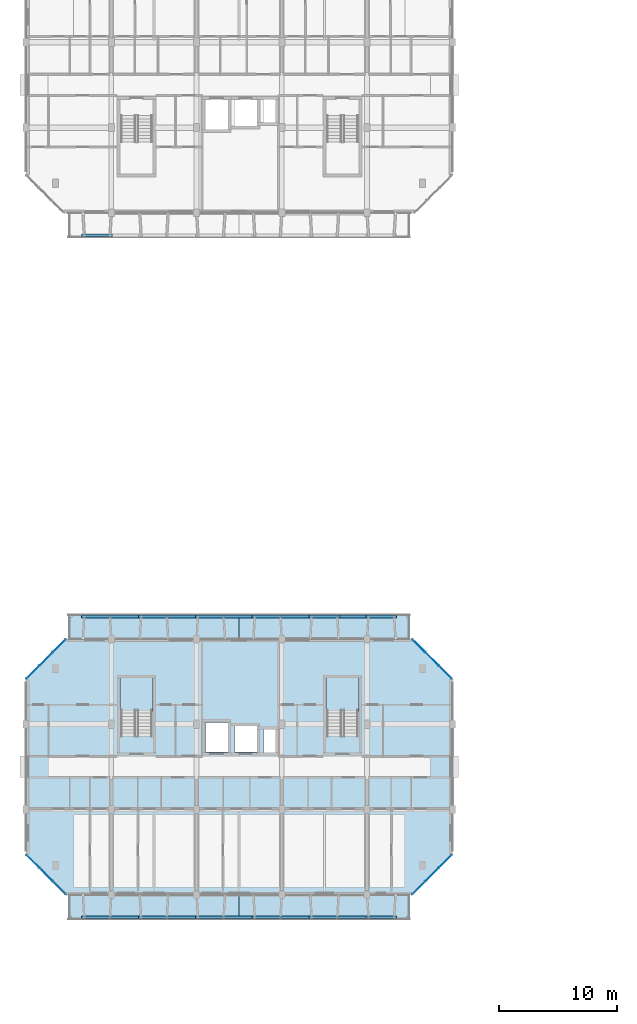
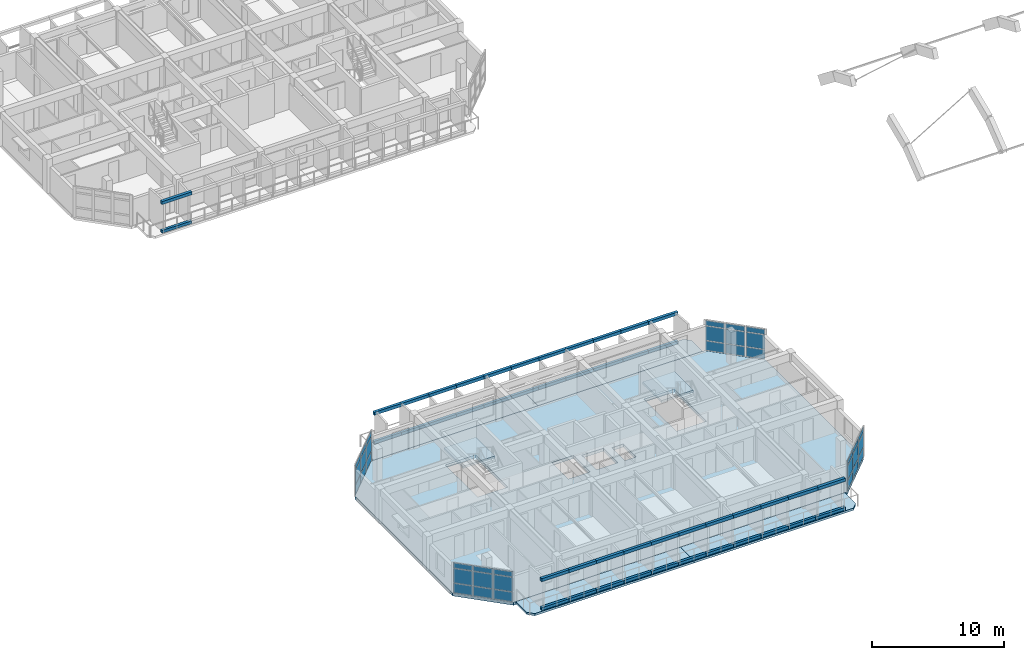
# One storey, part 18 of 64: 82 plates, 7 slabs, 6 elements without a shape of their own.
"""IFC4 building model written with IfcOpenShell, lengths in metres."""

from ifc_helpers import new_model, si_unit, direction, frame, origin, origin_2d, place, context, subcontext, project, spatial, polyline, rectangle, outline, extrude, material, layer, layer_set, type_object, element, aggregate, save


model = new_model("IFC4")

# Units and contexts
model_context = context("Model", 3, precision=1e-05, world=origin(), true_north=direction((0.0, 1.0)))
body_context = subcontext(model_context, "Body", "Model", "MODEL_VIEW")
ifc_project = project(units=[si_unit("LENGTHUNIT", "METRE"), si_unit("AREAUNIT", "SQUARE_METRE"), si_unit("VOLUMEUNIT", "CUBIC_METRE"), si_unit("PLANEANGLEUNIT", "RADIAN"), si_unit("MASSUNIT", "GRAM", prefix="KILO")], contexts=[model_context])

# Site, building, storey
site_placement = place(None, origin())
site = spatial("IfcSite", under=ifc_project, at=site_placement, CompositionType="ELEMENT")
building_placement = place(site_placement, origin())
building = spatial("IfcBuilding", under=site, at=building_placement, Name="Ochrevale Crest", CompositionType="ELEMENT")
storey_placement = place(building_placement, frame((0.0, 0.0, 8.699951171875)))
storey = spatial("IfcBuildingStorey", under=building, at=storey_placement, Name="L02", CompositionType="ELEMENT", Elevation=8.699951171875)

# Curtain wall, plates
ifc_material_1 = material(Name="Anodised aluminium 6063-T5", Category="aluminium")
ifc_layer_1 = layer(ifc_material_1, 0.14990234375)
ifc_layer_set_1 = layer_set([ifc_layer_1], Name="Anodised aluminium 6063-T5")
curtain_wall_type_1 = type_object("IfcCurtainWallType", Name="CW-WG-420x285", PredefinedType="NOTDEFINED", material=ifc_layer_set_1)
curtain_wall_1_placement = place(storey_placement, origin())
curtain_wall_1 = element("IfcCurtainWall", 1, at=curtain_wall_1_placement, inside=storey, type_object=curtain_wall_type_1, Name="Block A L02 chamfered corner wintergarden curtain wall 2", PredefinedType="NOTDEFINED")
ifc_material_2 = material(Name="Double-glazed low-E insulated glass unit", Category="glass")
ifc_layer_2 = layer(ifc_material_2, 0.028076171875)
ifc_layer_set_2 = layer_set([ifc_layer_2], Name="Double-glazed low-E insulated glass unit")
plate_type_1 = type_object("IfcPlateType", Name="CW-PNL-IGU28", PredefinedType="CURTAIN_PANEL", material=ifc_layer_set_2)
plate_1_placement = place(storey_placement, frame((33.179931640625, 14.97998046875, 0.06005859375), z_axis=(0.0, 0.0, 1.0), x_axis=(0.707106781187, 0.707106781187, 0.0)))
plate_1 = element("IfcPlate", 2, at=plate_1_placement, type_object=plate_type_1, Name="CW22 panel 1.1", PredefinedType="CURTAIN_PANEL", context=body_context, shape_type="SweptSolid", body=[
    extrude(rectangle(XDim=1.490234375, YDim=0.028076171875, at=origin_2d()), origin(), (0.0, 0.0, 1.0), 0.860107421875),
])
plate_2_placement = place(storey_placement, frame((33.179931640625, 14.97998046875, 0.97998046875), z_axis=(0.0, 0.0, 1.0), x_axis=(0.707106781187, 0.707106781187, 0.0)))
plate_2 = element("IfcPlate", 3, at=plate_2_placement, type_object=plate_type_1, Name="CW22 panel 1.2", PredefinedType="CURTAIN_PANEL", context=body_context, shape_type="SweptSolid", body=[
    extrude(rectangle(XDim=1.490234375, YDim=0.028076171875, at=origin_2d()), origin(), (0.0, 0.0, 1.0), 1.31494140625),
])
plate_3_placement = place(storey_placement, frame((33.179931640625, 14.97998046875, 2.35498046875), z_axis=(0.0, 0.0, 1.0), x_axis=(0.707106781187, 0.707106781187, 0.0)))
plate_3 = element("IfcPlate", 4, at=plate_3_placement, type_object=plate_type_1, Name="CW22 panel 1.3", PredefinedType="CURTAIN_PANEL", context=body_context, shape_type="SweptSolid", body=[
    extrude(rectangle(XDim=1.490234375, YDim=0.028076171875, at=origin_2d()), origin(), (0.0, 0.0, 1.0), 0.4599609375),
])
plate_4_placement = place(storey_placement, frame((34.300048828125, 16.10009765625, 0.06005859375), z_axis=(0.0, 0.0, 1.0), x_axis=(0.707106781187, 0.707106781187, 0.0)))
plate_4 = element("IfcPlate", 5, at=plate_4_placement, type_object=plate_type_1, Name="CW22 panel 2.1", PredefinedType="CURTAIN_PANEL", context=body_context, shape_type="SweptSolid", body=[
    extrude(rectangle(XDim=1.52783203125, YDim=0.028076171875, at=origin_2d()), origin(), (0.0, 0.0, 1.0), 0.860107421875),
])
plate_5_placement = place(storey_placement, frame((34.300048828125, 16.10009765625, 0.97998046875), z_axis=(0.0, 0.0, 1.0), x_axis=(0.707106781187, 0.707106781187, 0.0)))
plate_5 = element("IfcPlate", 6, at=plate_5_placement, type_object=plate_type_1, Name="CW22 panel 2.2", PredefinedType="CURTAIN_PANEL", context=body_context, shape_type="SweptSolid", body=[
    extrude(rectangle(XDim=1.52783203125, YDim=0.028076171875, at=origin_2d()), origin(), (0.0, 0.0, 1.0), 1.31494140625),
])
plate_6_placement = place(storey_placement, frame((34.300048828125, 16.10009765625, 2.35498046875), z_axis=(0.0, 0.0, 1.0), x_axis=(0.707106781187, 0.707106781187, 0.0)))
plate_6 = element("IfcPlate", 7, at=plate_6_placement, type_object=plate_type_1, Name="CW22 panel 2.3", PredefinedType="CURTAIN_PANEL", context=body_context, shape_type="SweptSolid", body=[
    extrude(rectangle(XDim=1.52783203125, YDim=0.028076171875, at=origin_2d()), origin(), (0.0, 0.0, 1.0), 0.4599609375),
])
plate_7_placement = place(storey_placement, frame((35.420166015625, 17.219970703125, 0.06005859375), z_axis=(0.0, 0.0, 1.0), x_axis=(0.707106781187, 0.707106781187, 0.0)))
plate_7 = element("IfcPlate", 8, at=plate_7_placement, type_object=plate_type_1, Name="CW22 panel 3.1", PredefinedType="CURTAIN_PANEL", context=body_context, shape_type="SweptSolid", body=[
    extrude(rectangle(XDim=1.490234375, YDim=0.028076171875, at=origin_2d()), origin(), (0.0, 0.0, 1.0), 0.860107421875),
])
plate_8_placement = place(storey_placement, frame((35.420166015625, 17.219970703125, 0.97998046875), z_axis=(0.0, 0.0, 1.0), x_axis=(0.707106781187, 0.707106781187, 0.0)))
plate_8 = element("IfcPlate", 9, at=plate_8_placement, type_object=plate_type_1, Name="CW22 panel 3.2", PredefinedType="CURTAIN_PANEL", context=body_context, shape_type="SweptSolid", body=[
    extrude(rectangle(XDim=1.490234375, YDim=0.028076171875, at=origin_2d()), origin(), (0.0, 0.0, 1.0), 1.31494140625),
])
plate_9_placement = place(storey_placement, frame((35.420166015625, 17.219970703125, 2.35498046875), z_axis=(0.0, 0.0, 1.0), x_axis=(0.707106781187, 0.707106781187, 0.0)))
plate_9 = element("IfcPlate", 10, at=plate_9_placement, type_object=plate_type_1, Name="CW22 panel 3.3", PredefinedType="CURTAIN_PANEL", context=body_context, shape_type="SweptSolid", body=[
    extrude(rectangle(XDim=1.490234375, YDim=0.028076171875, at=origin_2d()), origin(), (0.0, 0.0, 1.0), 0.4599609375),
])
aggregate(curtain_wall_1, [plate_1, plate_2, plate_3, plate_4, plate_5, plate_6, plate_7, plate_8, plate_9])

ifc_layer_3 = layer(ifc_material_1, 0.14990234375)
ifc_layer_set_3 = layer_set([ifc_layer_3], Name="Anodised aluminium 6063-T5")
curtain_wall_type_2 = type_object("IfcCurtainWallType", Name="CW-WG-240x285", PredefinedType="NOTDEFINED", material=ifc_layer_set_3)
curtain_wall_2_placement = place(storey_placement, origin())
curtain_wall_2 = element("IfcCurtainWall", 11, at=curtain_wall_2_placement, inside=storey, type_object=curtain_wall_type_2, Name="Block A L02 chamfered corner wintergarden curtain wall 8", PredefinedType="NOTDEFINED")
plate_10_placement = place(storey_placement, frame((0.579833984375, 17.219970703125, 0.06005859375), z_axis=(0.0, 0.0, 1.0), x_axis=(0.707106781187, -0.707106781187, 0.0)))
plate_10 = element("IfcPlate", 12, at=plate_10_placement, type_object=plate_type_1, Name="CW15 panel 1.1", PredefinedType="CURTAIN_PANEL", context=body_context, shape_type="SweptSolid", body=[
    extrude(rectangle(XDim=1.490234375, YDim=0.028076171875, at=origin_2d()), origin(), (0.0, 0.0, 1.0), 0.860107421875),
])
plate_11_placement = place(storey_placement, frame((0.579833984375, 17.219970703125, 0.97998046875), z_axis=(0.0, 0.0, 1.0), x_axis=(0.707106781187, -0.707106781187, 0.0)))
plate_11 = element("IfcPlate", 13, at=plate_11_placement, type_object=plate_type_1, Name="CW15 panel 1.2", PredefinedType="CURTAIN_PANEL", context=body_context, shape_type="SweptSolid", body=[
    extrude(rectangle(XDim=1.490234375, YDim=0.028076171875, at=origin_2d()), origin(), (0.0, 0.0, 1.0), 1.31494140625),
])
plate_12_placement = place(storey_placement, frame((0.579833984375, 17.219970703125, 2.35498046875), z_axis=(0.0, 0.0, 1.0), x_axis=(0.707106781187, -0.707106781187, 0.0)))
plate_12 = element("IfcPlate", 14, at=plate_12_placement, type_object=plate_type_1, Name="CW15 panel 1.3", PredefinedType="CURTAIN_PANEL", context=body_context, shape_type="SweptSolid", body=[
    extrude(rectangle(XDim=1.490234375, YDim=0.028076171875, at=origin_2d()), origin(), (0.0, 0.0, 1.0), 0.4599609375),
])
plate_13_placement = place(storey_placement, frame((1.699951171875, 16.10009765625, 0.06005859375), z_axis=(0.0, 0.0, 1.0), x_axis=(0.707106781187, -0.707106781187, 0.0)))
plate_13 = element("IfcPlate", 15, at=plate_13_placement, type_object=plate_type_1, Name="CW15 panel 2.1", PredefinedType="CURTAIN_PANEL", context=body_context, shape_type="SweptSolid", body=[
    extrude(rectangle(XDim=1.52783203125, YDim=0.028076171875, at=origin_2d()), origin(), (0.0, 0.0, 1.0), 0.860107421875),
])
plate_14_placement = place(storey_placement, frame((1.699951171875, 16.10009765625, 0.97998046875), z_axis=(0.0, 0.0, 1.0), x_axis=(0.707106781187, -0.707106781187, 0.0)))
plate_14 = element("IfcPlate", 16, at=plate_14_placement, type_object=plate_type_1, Name="CW15 panel 2.2", PredefinedType="CURTAIN_PANEL", context=body_context, shape_type="SweptSolid", body=[
    extrude(rectangle(XDim=1.52783203125, YDim=0.028076171875, at=origin_2d()), origin(), (0.0, 0.0, 1.0), 1.31494140625),
])
plate_15_placement = place(storey_placement, frame((1.699951171875, 16.10009765625, 2.35498046875), z_axis=(0.0, 0.0, 1.0), x_axis=(0.707106781187, -0.707106781187, 0.0)))
plate_15 = element("IfcPlate", 17, at=plate_15_placement, type_object=plate_type_1, Name="CW15 panel 2.3", PredefinedType="CURTAIN_PANEL", context=body_context, shape_type="SweptSolid", body=[
    extrude(rectangle(XDim=1.52783203125, YDim=0.028076171875, at=origin_2d()), origin(), (0.0, 0.0, 1.0), 0.4599609375),
])
plate_16_placement = place(storey_placement, frame((2.820068359375, 14.97998046875, 0.06005859375), z_axis=(0.0, 0.0, 1.0), x_axis=(0.707106781187, -0.707106781187, 0.0)))
plate_16 = element("IfcPlate", 18, at=plate_16_placement, type_object=plate_type_1, Name="CW15 panel 3.1", PredefinedType="CURTAIN_PANEL", context=body_context, shape_type="SweptSolid", body=[
    extrude(rectangle(XDim=1.490234375, YDim=0.028076171875, at=origin_2d()), origin(), (0.0, 0.0, 1.0), 0.860107421875),
])
plate_17_placement = place(storey_placement, frame((2.820068359375, 14.97998046875, 0.97998046875), z_axis=(0.0, 0.0, 1.0), x_axis=(0.707106781187, -0.707106781187, 0.0)))
plate_17 = element("IfcPlate", 19, at=plate_17_placement, type_object=plate_type_1, Name="CW15 panel 3.2", PredefinedType="CURTAIN_PANEL", context=body_context, shape_type="SweptSolid", body=[
    extrude(rectangle(XDim=1.490234375, YDim=0.028076171875, at=origin_2d()), origin(), (0.0, 0.0, 1.0), 1.31494140625),
])
plate_18_placement = place(storey_placement, frame((2.820068359375, 14.97998046875, 2.35498046875), z_axis=(0.0, 0.0, 1.0), x_axis=(0.707106781187, -0.707106781187, 0.0)))
plate_18 = element("IfcPlate", 20, at=plate_18_placement, type_object=plate_type_1, Name="CW15 panel 3.3", PredefinedType="CURTAIN_PANEL", context=body_context, shape_type="SweptSolid", body=[
    extrude(rectangle(XDim=1.490234375, YDim=0.028076171875, at=origin_2d()), origin(), (0.0, 0.0, 1.0), 0.4599609375),
])
aggregate(curtain_wall_2, [plate_10, plate_11, plate_12, plate_13, plate_14, plate_15, plate_16, plate_17, plate_18])

ifc_layer_4 = layer(ifc_material_1, 0.14990234375)
ifc_layer_set_4 = layer_set([ifc_layer_4], Name="Anodised aluminium 6063-T5")
curtain_wall_type_3 = type_object("IfcCurtainWallType", Name="CW-WG-280x285", PredefinedType="NOTDEFINED", material=ifc_layer_set_4)
curtain_wall_3_placement = place(storey_placement, origin())
curtain_wall_3 = element("IfcCurtainWall", 21, at=curtain_wall_3_placement, inside=storey, type_object=curtain_wall_type_3, Name="Block A L02 chamfered corner wintergarden curtain wall 4", PredefinedType="NOTDEFINED")
ifc_material_3 = material(Name="Acoustic laminated low-E insulated glass unit", Category="glass")
ifc_layer_5 = layer(ifc_material_3, 0.0380859375)
ifc_layer_set_5 = layer_set([ifc_layer_5], Name="Acoustic laminated low-E insulated glass unit")
plate_type_2 = type_object("IfcPlateType", Name="CW-PNL-IGU38", PredefinedType="CURTAIN_PANEL", material=ifc_layer_set_5)
plate_19_placement = place(storey_placement, frame((35.420166015625, 33.179931640625, 0.06005859375), z_axis=(0.0, 0.0, 1.0), x_axis=(-0.707106781187, 0.707106781187, 0.0)))
plate_19 = element("IfcPlate", 22, at=plate_19_placement, type_object=plate_type_2, Name="CW16 panel 1.1", PredefinedType="CURTAIN_PANEL", context=body_context, shape_type="SweptSolid", body=[
    extrude(rectangle(XDim=1.490234375, YDim=0.0380859375, at=origin_2d()), origin(), (0.0, 0.0, 1.0), 0.860107421875),
])
plate_20_placement = place(storey_placement, frame((35.420166015625, 33.179931640625, 0.97998046875), z_axis=(0.0, 0.0, 1.0), x_axis=(-0.707106781187, 0.707106781187, 0.0)))
plate_20 = element("IfcPlate", 23, at=plate_20_placement, type_object=plate_type_2, Name="CW16 panel 1.2", PredefinedType="CURTAIN_PANEL", context=body_context, shape_type="SweptSolid", body=[
    extrude(rectangle(XDim=1.490234375, YDim=0.0380859375, at=origin_2d()), origin(), (0.0, 0.0, 1.0), 1.31494140625),
])
plate_21_placement = place(storey_placement, frame((35.420166015625, 33.179931640625, 2.35498046875), z_axis=(0.0, 0.0, 1.0), x_axis=(-0.707106781187, 0.707106781187, 0.0)))
plate_21 = element("IfcPlate", 24, at=plate_21_placement, type_object=plate_type_2, Name="CW16 panel 1.3", PredefinedType="CURTAIN_PANEL", context=body_context, shape_type="SweptSolid", body=[
    extrude(rectangle(XDim=1.490234375, YDim=0.0380859375, at=origin_2d()), origin(), (0.0, 0.0, 1.0), 0.4599609375),
])
plate_22_placement = place(storey_placement, frame((34.300048828125, 34.300048828125, 0.06005859375), z_axis=(0.0, 0.0, 1.0), x_axis=(-0.707106781187, 0.707106781187, 0.0)))
plate_22 = element("IfcPlate", 25, at=plate_22_placement, type_object=plate_type_2, Name="CW16 panel 2.1", PredefinedType="CURTAIN_PANEL", context=body_context, shape_type="SweptSolid", body=[
    extrude(rectangle(XDim=1.52783203125, YDim=0.0380859375, at=origin_2d()), origin(), (0.0, 0.0, 1.0), 0.860107421875),
])
plate_23_placement = place(storey_placement, frame((34.300048828125, 34.300048828125, 0.97998046875), z_axis=(0.0, 0.0, 1.0), x_axis=(-0.707106781187, 0.707106781187, 0.0)))
plate_23 = element("IfcPlate", 26, at=plate_23_placement, type_object=plate_type_2, Name="CW16 panel 2.2", PredefinedType="CURTAIN_PANEL", context=body_context, shape_type="SweptSolid", body=[
    extrude(rectangle(XDim=1.52783203125, YDim=0.0380859375, at=origin_2d()), origin(), (0.0, 0.0, 1.0), 1.31494140625),
])
plate_24_placement = place(storey_placement, frame((34.300048828125, 34.300048828125, 2.35498046875), z_axis=(0.0, 0.0, 1.0), x_axis=(-0.707106781187, 0.707106781187, 0.0)))
plate_24 = element("IfcPlate", 27, at=plate_24_placement, type_object=plate_type_2, Name="CW16 panel 2.3", PredefinedType="CURTAIN_PANEL", context=body_context, shape_type="SweptSolid", body=[
    extrude(rectangle(XDim=1.52783203125, YDim=0.0380859375, at=origin_2d()), origin(), (0.0, 0.0, 1.0), 0.4599609375),
])
plate_25_placement = place(storey_placement, frame((33.179931640625, 35.420166015625, 0.06005859375), z_axis=(0.0, 0.0, 1.0), x_axis=(-0.707106781187, 0.707106781187, 0.0)))
plate_25 = element("IfcPlate", 28, at=plate_25_placement, type_object=plate_type_2, Name="CW16 panel 3.1", PredefinedType="CURTAIN_PANEL", context=body_context, shape_type="SweptSolid", body=[
    extrude(rectangle(XDim=1.490234375, YDim=0.0380859375, at=origin_2d()), origin(), (0.0, 0.0, 1.0), 0.860107421875),
])
plate_26_placement = place(storey_placement, frame((33.179931640625, 35.420166015625, 0.97998046875), z_axis=(0.0, 0.0, 1.0), x_axis=(-0.707106781187, 0.707106781187, 0.0)))
plate_26 = element("IfcPlate", 29, at=plate_26_placement, type_object=plate_type_2, Name="CW16 panel 3.2", PredefinedType="CURTAIN_PANEL", context=body_context, shape_type="SweptSolid", body=[
    extrude(rectangle(XDim=1.490234375, YDim=0.0380859375, at=origin_2d()), origin(), (0.0, 0.0, 1.0), 1.31494140625),
])
plate_27_placement = place(storey_placement, frame((33.179931640625, 35.420166015625, 2.35498046875), z_axis=(0.0, 0.0, 1.0), x_axis=(-0.707106781187, 0.707106781187, 0.0)))
plate_27 = element("IfcPlate", 30, at=plate_27_placement, type_object=plate_type_2, Name="CW16 panel 3.3", PredefinedType="CURTAIN_PANEL", context=body_context, shape_type="SweptSolid", body=[
    extrude(rectangle(XDim=1.490234375, YDim=0.0380859375, at=origin_2d()), origin(), (0.0, 0.0, 1.0), 0.4599609375),
])
aggregate(curtain_wall_3, [plate_19, plate_20, plate_21, plate_22, plate_23, plate_24, plate_25, plate_26, plate_27])

ifc_layer_6 = layer(ifc_material_1, 0.14990234375)
ifc_layer_set_6 = layer_set([ifc_layer_6], Name="Anodised aluminium 6063-T5")
curtain_wall_type_4 = type_object("IfcCurtainWallType", Name="CW-WG-360x285", PredefinedType="NOTDEFINED", material=ifc_layer_set_6)
curtain_wall_4_placement = place(storey_placement, origin())
curtain_wall_4 = element("IfcCurtainWall", 31, at=curtain_wall_4_placement, inside=storey, type_object=curtain_wall_type_4, Name="Block A L02 chamfered corner wintergarden curtain wall 6", PredefinedType="NOTDEFINED")
plate_28_placement = place(storey_placement, frame((2.820068359375, 35.420166015625, 0.06005859375), z_axis=(0.0, 0.0, 1.0), x_axis=(-0.707106781187, -0.707106781187, 0.0)))
plate_28 = element("IfcPlate", 32, at=plate_28_placement, type_object=plate_type_2, Name="CW18 panel 1.1", PredefinedType="CURTAIN_PANEL", context=body_context, shape_type="SweptSolid", body=[
    extrude(rectangle(XDim=1.490234375, YDim=0.0380859375, at=origin_2d()), origin(), (0.0, 0.0, 1.0), 0.860107421875),
])
plate_29_placement = place(storey_placement, frame((2.820068359375, 35.420166015625, 0.97998046875), z_axis=(0.0, 0.0, 1.0), x_axis=(-0.707106781187, -0.707106781187, 0.0)))
plate_29 = element("IfcPlate", 33, at=plate_29_placement, type_object=plate_type_2, Name="CW18 panel 1.2", PredefinedType="CURTAIN_PANEL", context=body_context, shape_type="SweptSolid", body=[
    extrude(rectangle(XDim=1.490234375, YDim=0.0380859375, at=origin_2d()), origin(), (0.0, 0.0, 1.0), 1.31494140625),
])
plate_30_placement = place(storey_placement, frame((2.820068359375, 35.420166015625, 2.35498046875), z_axis=(0.0, 0.0, 1.0), x_axis=(-0.707106781187, -0.707106781187, 0.0)))
plate_30 = element("IfcPlate", 34, at=plate_30_placement, type_object=plate_type_2, Name="CW18 panel 1.3", PredefinedType="CURTAIN_PANEL", context=body_context, shape_type="SweptSolid", body=[
    extrude(rectangle(XDim=1.490234375, YDim=0.0380859375, at=origin_2d()), origin(), (0.0, 0.0, 1.0), 0.4599609375),
])
plate_31_placement = place(storey_placement, frame((1.699951171875, 34.300048828125, 0.06005859375), z_axis=(0.0, 0.0, 1.0), x_axis=(-0.707106781187, -0.707106781187, 0.0)))
plate_31 = element("IfcPlate", 35, at=plate_31_placement, type_object=plate_type_2, Name="CW18 panel 2.1", PredefinedType="CURTAIN_PANEL", context=body_context, shape_type="SweptSolid", body=[
    extrude(rectangle(XDim=1.52783203125, YDim=0.0380859375, at=origin_2d()), origin(), (0.0, 0.0, 1.0), 0.860107421875),
])
plate_32_placement = place(storey_placement, frame((1.699951171875, 34.300048828125, 0.97998046875), z_axis=(0.0, 0.0, 1.0), x_axis=(-0.707106781187, -0.707106781187, 0.0)))
plate_32 = element("IfcPlate", 36, at=plate_32_placement, type_object=plate_type_2, Name="CW18 panel 2.2", PredefinedType="CURTAIN_PANEL", context=body_context, shape_type="SweptSolid", body=[
    extrude(rectangle(XDim=1.52783203125, YDim=0.0380859375, at=origin_2d()), origin(), (0.0, 0.0, 1.0), 1.31494140625),
])
plate_33_placement = place(storey_placement, frame((1.699951171875, 34.300048828125, 2.35498046875), z_axis=(0.0, 0.0, 1.0), x_axis=(-0.707106781187, -0.707106781187, 0.0)))
plate_33 = element("IfcPlate", 37, at=plate_33_placement, type_object=plate_type_2, Name="CW18 panel 2.3", PredefinedType="CURTAIN_PANEL", context=body_context, shape_type="SweptSolid", body=[
    extrude(rectangle(XDim=1.52783203125, YDim=0.0380859375, at=origin_2d()), origin(), (0.0, 0.0, 1.0), 0.4599609375),
])
plate_34_placement = place(storey_placement, frame((0.579833984375, 33.179931640625, 0.06005859375), z_axis=(0.0, 0.0, 1.0), x_axis=(-0.707106781187, -0.707106781187, 0.0)))
plate_34 = element("IfcPlate", 38, at=plate_34_placement, type_object=plate_type_2, Name="CW18 panel 3.1", PredefinedType="CURTAIN_PANEL", context=body_context, shape_type="SweptSolid", body=[
    extrude(rectangle(XDim=1.490234375, YDim=0.0380859375, at=origin_2d()), origin(), (0.0, 0.0, 1.0), 0.860107421875),
])
plate_35_placement = place(storey_placement, frame((0.579833984375, 33.179931640625, 0.97998046875), z_axis=(0.0, 0.0, 1.0), x_axis=(-0.707106781187, -0.707106781187, 0.0)))
plate_35 = element("IfcPlate", 39, at=plate_35_placement, type_object=plate_type_2, Name="CW18 panel 3.2", PredefinedType="CURTAIN_PANEL", context=body_context, shape_type="SweptSolid", body=[
    extrude(rectangle(XDim=1.490234375, YDim=0.0380859375, at=origin_2d()), origin(), (0.0, 0.0, 1.0), 1.31494140625),
])
plate_36_placement = place(storey_placement, frame((0.579833984375, 33.179931640625, 2.35498046875), z_axis=(0.0, 0.0, 1.0), x_axis=(-0.707106781187, -0.707106781187, 0.0)))
plate_36 = element("IfcPlate", 40, at=plate_36_placement, type_object=plate_type_2, Name="CW18 panel 3.3", PredefinedType="CURTAIN_PANEL", context=body_context, shape_type="SweptSolid", body=[
    extrude(rectangle(XDim=1.490234375, YDim=0.0380859375, at=origin_2d()), origin(), (0.0, 0.0, 1.0), 0.4599609375),
])
aggregate(curtain_wall_4, [plate_28, plate_29, plate_30, plate_31, plate_32, plate_33, plate_34, plate_35, plate_36])

# Plates
ifc_material_4 = material(Name="Precast concrete C40/50", Category="concrete")
ifc_layer_7 = layer(ifc_material_4, 0.06005859375)
ifc_layer_set_7 = layer_set([ifc_layer_7], Name="Precast concrete C40/50")
plate_type_3 = type_object("IfcPlateType", Name="PLT-HC-HEAD-60", PredefinedType="USERDEFINED", material=ifc_layer_set_7)
for number, where, z_axis, x_axis, name in (
    (41, (6.0, 12.5, 2.669921875), (0.0, 0.0, 1.0), (1.0, 0.0, 0.0), "Block A L02 S honeycomb arched lintel fascia 1"),
    (42, (8.39990234375, 12.5, 2.669921875), (0.0, 0.0, 1.0), (1.0, 0.0, 0.0), "Block A L02 S honeycomb arched lintel fascia 2"),
    (43, (10.800048828125, 12.5, 2.669921875), (0.0, 0.0, 1.0), (1.0, 0.0, 0.0), "Block A L02 S honeycomb arched lintel fascia 3"),
    (44, (13.199951171875, 12.5, 2.669921875), (0.0, 0.0, 1.0), (1.0, 0.0, 0.0), "Block A L02 S honeycomb arched lintel fascia 4"),
    (45, (15.60009765625, 12.5, 2.669921875), (0.0, 0.0, 1.0), (1.0, 0.0, 0.0), "Block A L02 S honeycomb arched lintel fascia 5"),
    (46, (18.0, 12.5, 2.669921875), (0.0, 0.0, 1.0), (1.0, 0.0, 0.0), "Block A L02 S honeycomb arched lintel fascia 6"),
    (47, (20.39990234375, 12.5, 2.669921875), (0.0, 0.0, 1.0), (1.0, 0.0, 0.0), "Block A L02 S honeycomb arched lintel fascia 7"),
    (48, (22.800048828125, 12.5, 2.669921875), (0.0, 0.0, 1.0), (1.0, 0.0, 0.0), "Block A L02 S honeycomb arched lintel fascia 8"),
    (49, (25.199951171875, 12.5, 2.669921875), (0.0, 0.0, 1.0), (1.0, 0.0, 0.0), "Block A L02 S honeycomb arched lintel fascia 9"),
    (50, (27.60009765625, 12.5, 2.669921875), (0.0, 0.0, 1.0), (1.0, 0.0, 0.0), "Block A L02 S honeycomb arched lintel fascia 10"),
    (51, (30.0, 12.5, 2.669921875), (0.0, 0.0, 1.0), (1.0, 0.0, 0.0), "Block A L02 S honeycomb arched lintel fascia 11"),
    (52, (6.0, 37.89990234375, 2.669921875), (0.0, 0.0, 1.0), (1.0, 0.0, 0.0), "Block A L02 N honeycomb arched lintel fascia 1"),
    (53, (8.39990234375, 37.89990234375, 2.669921875), (0.0, 0.0, 1.0), (1.0, 0.0, 0.0), "Block A L02 N honeycomb arched lintel fascia 2"),
    (54, (10.800048828125, 37.89990234375, 2.669921875), (0.0, 0.0, 1.0), (1.0, 0.0, 0.0), "Block A L02 N honeycomb arched lintel fascia 3"),
    (55, (13.199951171875, 37.89990234375, 2.669921875), (0.0, 0.0, 1.0), (1.0, 0.0, 0.0), "Block A L02 N honeycomb arched lintel fascia 4"),
    (56, (15.60009765625, 37.89990234375, 2.669921875), (0.0, 0.0, 1.0), (1.0, 0.0, 0.0), "Block A L02 N honeycomb arched lintel fascia 5"),
    (57, (18.0, 37.89990234375, 2.669921875), (0.0, 0.0, 1.0), (1.0, 0.0, 0.0), "Block A L02 N honeycomb arched lintel fascia 6"),
    (58, (20.39990234375, 37.89990234375, 2.669921875), (0.0, 0.0, 1.0), (1.0, 0.0, 0.0), "Block A L02 N honeycomb arched lintel fascia 7"),
    (59, (22.800048828125, 37.89990234375, 2.669921875), (0.0, 0.0, 1.0), (1.0, 0.0, 0.0), "Block A L02 N honeycomb arched lintel fascia 8"),
    (60, (25.199951171875, 37.89990234375, 2.669921875), (0.0, 0.0, 1.0), (1.0, 0.0, 0.0), "Block A L02 N honeycomb arched lintel fascia 9"),
    (61, (27.60009765625, 37.89990234375, 2.669921875), (0.0, 0.0, 1.0), (1.0, 0.0, 0.0), "Block A L02 N honeycomb arched lintel fascia 10"),
    (62, (30.0, 37.89990234375, 2.669921875), (0.0, 0.0, 1.0), (1.0, 0.0, 0.0), "Block A L02 N honeycomb arched lintel fascia 11"),
    (63, (6.0, 70.10009765625, 2.669921875), (0.0, 0.0, 1.0), (1.0, 0.0, 0.0), "Block B L02 S honeycomb arched lintel fascia 1"),
):
    element("IfcPlate", number, at=place(storey_placement, frame(where, z_axis=z_axis, x_axis=x_axis)), inside=storey, type_object=plate_type_3, Name=name, ObjectType="FACADE FASCIA PLATE", PredefinedType="USERDEFINED", context=body_context, shape_type="SweptSolid", body=[
        extrude(rectangle(XDim=2.60009765625, YDim=0.239990234375, at=origin_2d()), origin(), (0.0, 0.0, 1.0), 0.280029296875),
    ])
ifc_layer_8 = layer(ifc_material_4, 0.044921875)
ifc_layer_set_8 = layer_set([ifc_layer_8], Name="Precast concrete C40/50")
plate_type_4 = type_object("IfcPlateType", Name="PLT-HC-SILL-45", PredefinedType="USERDEFINED", material=ifc_layer_set_8)
for number, where, z_axis, x_axis, name in (
    (64, (6.0, 12.5, 0.0), (0.0, 0.0, 1.0), (1.0, 0.0, 0.0), "Block A L02 S honeycomb sill coping plate 1"),
    (65, (8.39990234375, 12.5, 0.0), (0.0, 0.0, 1.0), (1.0, 0.0, 0.0), "Block A L02 S honeycomb sill coping plate 2"),
    (66, (10.800048828125, 12.5, 0.0), (0.0, 0.0, 1.0), (1.0, 0.0, 0.0), "Block A L02 S honeycomb sill coping plate 3"),
    (67, (13.199951171875, 12.5, 0.0), (0.0, 0.0, 1.0), (1.0, 0.0, 0.0), "Block A L02 S honeycomb sill coping plate 4"),
    (68, (15.60009765625, 12.5, 0.0), (0.0, 0.0, 1.0), (1.0, 0.0, 0.0), "Block A L02 S honeycomb sill coping plate 5"),
    (69, (18.0, 12.5, 0.0), (0.0, 0.0, 1.0), (1.0, 0.0, 0.0), "Block A L02 S honeycomb sill coping plate 6"),
    (70, (20.39990234375, 12.5, 0.0), (0.0, 0.0, 1.0), (1.0, 0.0, 0.0), "Block A L02 S honeycomb sill coping plate 7"),
    (71, (22.800048828125, 12.5, 0.0), (0.0, 0.0, 1.0), (1.0, 0.0, 0.0), "Block A L02 S honeycomb sill coping plate 8"),
    (72, (25.199951171875, 12.5, 0.0), (0.0, 0.0, 1.0), (1.0, 0.0, 0.0), "Block A L02 S honeycomb sill coping plate 9"),
    (73, (27.60009765625, 12.5, 0.0), (0.0, 0.0, 1.0), (1.0, 0.0, 0.0), "Block A L02 S honeycomb sill coping plate 10"),
    (74, (30.0, 12.5, 0.0), (0.0, 0.0, 1.0), (1.0, 0.0, 0.0), "Block A L02 S honeycomb sill coping plate 11"),
    (75, (6.0, 37.89990234375, 0.0), (0.0, 0.0, 1.0), (1.0, 0.0, 0.0), "Block A L02 N honeycomb sill coping plate 1"),
    (76, (8.39990234375, 37.89990234375, 0.0), (0.0, 0.0, 1.0), (1.0, 0.0, 0.0), "Block A L02 N honeycomb sill coping plate 2"),
    (77, (10.800048828125, 37.89990234375, 0.0), (0.0, 0.0, 1.0), (1.0, 0.0, 0.0), "Block A L02 N honeycomb sill coping plate 3"),
    (78, (13.199951171875, 37.89990234375, 0.0), (0.0, 0.0, 1.0), (1.0, 0.0, 0.0), "Block A L02 N honeycomb sill coping plate 4"),
    (79, (15.60009765625, 37.89990234375, 0.0), (0.0, 0.0, 1.0), (1.0, 0.0, 0.0), "Block A L02 N honeycomb sill coping plate 5"),
    (80, (18.0, 37.89990234375, 0.0), (0.0, 0.0, 1.0), (1.0, 0.0, 0.0), "Block A L02 N honeycomb sill coping plate 6"),
    (81, (20.39990234375, 37.89990234375, 0.0), (0.0, 0.0, 1.0), (1.0, 0.0, 0.0), "Block A L02 N honeycomb sill coping plate 7"),
    (82, (22.800048828125, 37.89990234375, 0.0), (0.0, 0.0, 1.0), (1.0, 0.0, 0.0), "Block A L02 N honeycomb sill coping plate 8"),
    (83, (25.199951171875, 37.89990234375, 0.0), (0.0, 0.0, 1.0), (1.0, 0.0, 0.0), "Block A L02 N honeycomb sill coping plate 9"),
    (84, (27.60009765625, 37.89990234375, 0.0), (0.0, 0.0, 1.0), (1.0, 0.0, 0.0), "Block A L02 N honeycomb sill coping plate 10"),
    (85, (30.0, 37.89990234375, 0.0), (0.0, 0.0, 1.0), (1.0, 0.0, 0.0), "Block A L02 N honeycomb sill coping plate 11"),
    (86, (6.0, 70.10009765625, 0.0), (0.0, 0.0, 1.0), (1.0, 0.0, 0.0), "Block B L02 S honeycomb sill coping plate 1"),
):
    element("IfcPlate", number, at=place(storey_placement, frame(where, z_axis=z_axis, x_axis=x_axis)), inside=storey, type_object=plate_type_4, Name=name, ObjectType="SILL COPING PLATE", PredefinedType="USERDEFINED", context=body_context, shape_type="SweptSolid", body=[
        extrude(rectangle(XDim=2.60009765625, YDim=0.219970703125, at=origin_2d()), origin(), (0.0, 0.0, 1.0), 0.260009765625),
    ])

# Slabs
ifc_layer_9 = layer(ifc_material_4, 0.199951171875)
ifc_layer_set_9 = layer_set([ifc_layer_9], Name="Precast concrete C40/50")
slab_type_1 = type_object("IfcSlabType", Name="SLB-BAL-200", PredefinedType="FLOOR", material=ifc_layer_set_9)
slab_1_placement = place(storey_placement, frame((0.0, 0.0, -0.199951171875)))
element("IfcSlab", 87, at=slab_1_placement, inside=storey, type_object=slab_type_1, Name="Block A L02 S1 precast loggia balcony slab", PredefinedType="FLOOR", context=body_context, shape_type="SweptSolid", body=[
    extrude(outline(polyline([(4.050048828125, 12.300048828125), (18.0, 12.300048828125), (18.0, 14.39990234375), (3.60009765625, 14.39990234375), (3.60009765625, 12.75), (4.050048828125, 12.300048828125)])), origin(), (0.0, 0.0, 1.0), 0.199951171875),
])
slab_2_placement = place(storey_placement, frame((0.0, 0.0, -0.199951171875)))
element("IfcSlab", 88, at=slab_2_placement, inside=storey, type_object=slab_type_1, Name="Block A L02 S2 precast loggia balcony slab", PredefinedType="FLOOR", context=body_context, shape_type="SweptSolid", body=[
    extrude(outline(polyline([(18.0, 12.300048828125), (31.949951171875, 12.300048828125), (32.39990234375, 12.75), (32.39990234375, 14.39990234375), (18.0, 14.39990234375), (18.0, 12.300048828125)])), origin(), (0.0, 0.0, 1.0), 0.199951171875),
])
slab_3_placement = place(storey_placement, frame((0.0, 0.0, -0.199951171875)))
element("IfcSlab", 89, at=slab_3_placement, inside=storey, type_object=slab_type_1, Name="Block A L02 N1 precast loggia balcony slab", PredefinedType="FLOOR", context=body_context, shape_type="SweptSolid", body=[
    extrude(outline(polyline([(3.60009765625, 36.0), (18.0, 36.0), (18.0, 38.10009765625), (4.050048828125, 38.10009765625), (3.60009765625, 37.64990234375), (3.60009765625, 36.0)])), origin(), (0.0, 0.0, 1.0), 0.199951171875),
])
slab_4_placement = place(storey_placement, frame((0.0, 0.0, -0.199951171875)))
element("IfcSlab", 90, at=slab_4_placement, inside=storey, type_object=slab_type_1, Name="Block A L02 N2 precast loggia balcony slab", PredefinedType="FLOOR", context=body_context, shape_type="SweptSolid", body=[
    extrude(outline(polyline([(18.0, 36.0), (32.39990234375, 36.0), (32.39990234375, 37.64990234375), (31.949951171875, 38.10009765625), (18.0, 38.10009765625), (18.0, 36.0)])), origin(), (0.0, 0.0, 1.0), 0.199951171875),
])
ifc_layer_10 = layer(ifc_material_4, 0.27490234375)
ifc_layer_set_10 = layer_set([ifc_layer_10], Name="Precast concrete C40/50")
slab_type_2 = type_object("IfcSlabType", Name="SLB-RES-275", PredefinedType="FLOOR", material=ifc_layer_set_10)
slab_5_placement = place(storey_placement, frame((0.0, 0.0, -0.27490234375)))
element("IfcSlab", 91, at=slab_5_placement, inside=storey, type_object=slab_type_2, Name="Block A L02 composite hollowcore floor slab", PredefinedType="FLOOR", context=body_context, shape_type="SweptSolid", body=[
    extrude(outline(polyline([(3.39990234375, 14.39990234375), (32.60009765625, 14.39990234375), (36.0, 17.800048828125), (36.0, 32.60009765625), (32.60009765625, 36.0), (3.39990234375, 36.0), (0.0, 32.60009765625), (0.0, 17.800048828125), (3.39990234375, 14.39990234375)]), holes=[polyline([(10.64990234375, 27.824951171875), (10.64990234375, 32.72509765625), (8.0, 32.72509765625), (8.0, 27.824951171875), (10.64990234375, 27.824951171875)]), polyline([(28.050048828125, 27.824951171875), (28.050048828125, 32.72509765625), (25.39990234375, 32.72509765625), (25.39990234375, 27.824951171875), (28.050048828125, 27.824951171875)]), polyline([(15.14990234375, 26.449951171875), (17.050048828125, 26.449951171875), (17.050048828125, 28.949951171875), (15.14990234375, 28.949951171875), (15.14990234375, 26.449951171875)]), polyline([(17.60009765625, 26.449951171875), (19.5, 26.449951171875), (19.5, 28.64990234375), (17.60009765625, 28.64990234375), (17.60009765625, 26.449951171875)]), polyline([(20.070068359375, 26.419921875), (21.080078125, 26.419921875), (21.080078125, 28.3798828125), (20.070068359375, 28.3798828125), (20.070068359375, 26.419921875)])]), origin(), (0.0, 0.0, 1.0), 0.27490234375),
])

# Stair, slab
stair_type = type_object("IfcStairType", Name="ST-CORE-DOG", PredefinedType="HALF_TURN_STAIR", material=ifc_material_4)
stair_1_placement = place(storey_placement, origin())
stair_1 = element("IfcStair", 92, at=stair_1_placement, inside=storey, type_object=stair_type, Name="L02 Block A Fire Stair 1", PredefinedType="HALF_TURN_STAIR")
ifc_layer_11 = layer(ifc_material_4, 0.199951171875)
ifc_layer_set_11 = layer_set([ifc_layer_11], Name="Precast concrete C40/50")
slab_type_3 = type_object("IfcSlabType", Name="SLB-ST-LAND", PredefinedType="LANDING", material=ifc_layer_set_11)
slab_6_placement = place(storey_placement, frame((0.0, 0.0, 1.375)))
slab_6 = element("IfcSlab", 93, at=slab_6_placement, type_object=slab_type_3, Name="ST-A1 landing 1", PredefinedType="LANDING", context=body_context, shape_type="SweptSolid", body=[
    extrude(outline(polyline([(10.72998046875, 29.93505859375), (10.72998046875, 32.804931640625), (7.919921875, 32.804931640625), (7.919921875, 29.93505859375), (10.72998046875, 29.93505859375)])), origin(), (0.0, 0.0, 1.0), 0.199951171875),
])
aggregate(stair_1, [slab_6])

stair_2_placement = place(storey_placement, origin())
stair_2 = element("IfcStair", 94, at=stair_2_placement, inside=storey, type_object=stair_type, Name="L02 Block A Fire Stair 2", PredefinedType="HALF_TURN_STAIR")
slab_7_placement = place(storey_placement, frame((0.0, 0.0, 1.375)))
slab_7 = element("IfcSlab", 95, at=slab_7_placement, type_object=slab_type_3, Name="ST-A2 landing 1", PredefinedType="LANDING", context=body_context, shape_type="SweptSolid", body=[
    extrude(outline(polyline([(28.1298828125, 29.93505859375), (28.1298828125, 32.804931640625), (25.320068359375, 32.804931640625), (25.320068359375, 29.93505859375), (28.1298828125, 29.93505859375)])), origin(), (0.0, 0.0, 1.0), 0.199951171875),
])
aggregate(stair_2, [slab_7])

save(model, "model.ifc")
